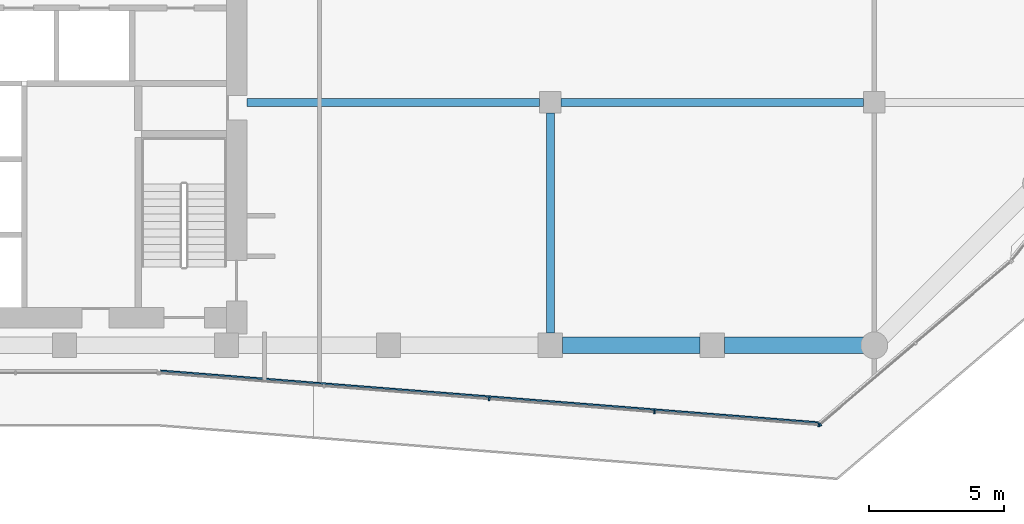
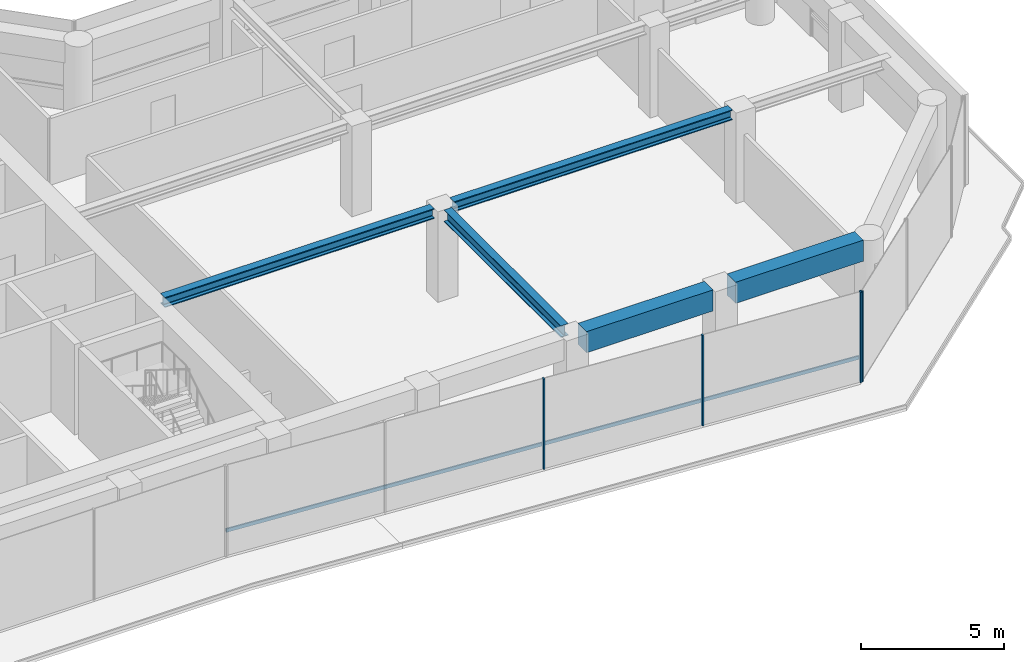
# One storey, part 6 of 24: 5 beams, 5 members, 2 elements without a shape of their own.
"""IFC4 building model written with IfcOpenShell, lengths in metres."""

from ifc_helpers import new_model, si_unit, direction, frame, origin, origin_2d, place, context, subcontext, project, spatial, rectangle, i_section, extrude, material, layer, layer_set, material_profile, profile_set, type_object, element, aggregate, save


model = new_model("IFC4")

# Units and contexts
model_context = context("Model", 3, precision=1e-05, world=origin(), true_north=direction((0.0, 1.0)))
body_context = subcontext(model_context, "Body", "Model", "MODEL_VIEW")
ifc_project = project(units=[si_unit("LENGTHUNIT", "METRE"), si_unit("AREAUNIT", "SQUARE_METRE"), si_unit("VOLUMEUNIT", "CUBIC_METRE"), si_unit("PLANEANGLEUNIT", "RADIAN"), si_unit("MASSUNIT", "GRAM", prefix="KILO")], contexts=[model_context])

# Site, building, storey
site_placement = place(None, origin())
site = spatial("IfcSite", under=ifc_project, at=site_placement, CompositionType="ELEMENT")
building_placement = place(site_placement, origin())
building = spatial("IfcBuilding", under=site, at=building_placement, Name="Welwitschia Terrace Campus", CompositionType="ELEMENT")
storey_placement = place(building_placement, frame((0.0, 0.0, 129.800048828125)))
storey = spatial("IfcBuildingStorey", under=building, at=storey_placement, Name="L29", CompositionType="ELEMENT", Elevation=129.800048828125)

# Beams
ifc_material_1 = material(Name="Steel S355", Category="steel")
ifc_material_profile_1 = material_profile(ifc_material_1, i_section(OverallWidth=0.306884765625, OverallDepth=0.431884765625, WebThickness=0.02099609375, FlangeThickness=0.0400390625, FilletRadius=0.027099609375, at=origin_2d()))
ifc_profile_set_1 = profile_set([ifc_material_profile_1], Name="Steel S355")
beam_type_1 = type_object("IfcBeamType", Name="Interior girder HE 400 M", PredefinedType="BEAM", material=ifc_profile_set_1)
beam_1_placement = place(storey_placement, frame((24.7509765625, 13.0, 3.634033203125), z_axis=(1.0, 0.0, 0.0), x_axis=(0.0, 1.0, 0.0)))
element("IfcBeam", 1, at=beam_1_placement, inside=storey, type_object=beam_type_1, Name="Girder GB3", PredefinedType="BEAM", context=body_context, shape_type="SweptSolid", body=[
    extrude(i_section(OverallWidth=0.306884765625, OverallDepth=0.431884765625, WebThickness=0.02099609375, FlangeThickness=0.0400390625, FilletRadius=0.027099609375, at=origin_2d()), origin(), (0.0, 0.0, 1.0), 10.8486328125),
])
beam_2_placement = place(storey_placement, frame((36.400390625, 13.0, 3.634033203125), z_axis=(1.0, 0.0, 0.0), x_axis=(0.0, 1.0, 0.0)))
element("IfcBeam", 2, at=beam_2_placement, inside=storey, type_object=beam_type_1, Name="Girder GB3", PredefinedType="BEAM", context=body_context, shape_type="SweptSolid", body=[
    extrude(i_section(OverallWidth=0.306884765625, OverallDepth=0.431884765625, WebThickness=0.02099609375, FlangeThickness=0.0400390625, FilletRadius=0.027099609375, at=origin_2d()), origin(), (0.0, 0.0, 1.0), 11.19921875),
])

# Curtain wall, members
ifc_material_2 = material(Name="Bronze anodised aluminium", Category="aluminium")
ifc_layer = layer(ifc_material_2, 0.1201171875)
ifc_layer_set = layer_set([ifc_layer], Name="Bronze anodised aluminium")
curtain_wall_type = type_object("IfcCurtainWallType", Name="Curtain wall CW2 tower 6000", PredefinedType="NOTDEFINED", material=ifc_layer_set)
curtain_wall_1_placement = place(storey_placement, origin())
curtain_wall_1 = element("IfcCurtainWall", 3, at=curtain_wall_1_placement, inside=storey, type_object=curtain_wall_type, Name="CW L29.3.0", PredefinedType="NOTDEFINED")
ifc_material_3 = material(Name="Bronze anodised aluminium", Category="aluminium")
ifc_material_profile_2 = material_profile(ifc_material_3, rectangle(XDim=0.1201171875, YDim=0.06005859375, at=origin_2d()))
ifc_profile_set_2 = profile_set([ifc_material_profile_2], Name="Bronze anodised aluminium")
member_type_1 = type_object("IfcMemberType", Name="Mullion 60x120", PredefinedType="MULLION", material=ifc_profile_set_2)
member_1_placement = place(storey_placement, frame((33.734375, 2.006591796875, 0.0), z_axis=(0.0, 0.0, 1.0), x_axis=(0.078459095728, 0.996917333733, 0.0)))
member_1 = element("IfcMember", 4, at=member_1_placement, type_object=member_type_1, Name="Mullion L29.3.0.2", PredefinedType="MULLION", context=body_context, shape_type="SweptSolid", body=[
    extrude(rectangle(XDim=0.1201171875, YDim=0.06005859375, at=origin_2d()), origin(), (0.0, 0.0, 1.0), 3.849853515625),
])
member_2_placement = place(storey_placement, frame((39.855712890625, 1.524658203125, 0.0), z_axis=(0.0, 0.0, 1.0), x_axis=(0.078459095728, 0.996917333733, 0.0)))
member_2 = element("IfcMember", 5, at=member_2_placement, type_object=member_type_1, Name="Mullion L29.3.0.3", PredefinedType="MULLION", context=body_context, shape_type="SweptSolid", body=[
    extrude(rectangle(XDim=0.1201171875, YDim=0.06005859375, at=origin_2d()), origin(), (0.0, 0.0, 1.0), 3.849853515625),
])
member_3_placement = place(storey_placement, frame((45.947021484375, 1.04541015625, 0.0), z_axis=(0.0, 0.0, 1.0), x_axis=(0.078459095728, 0.996917333733, 0.0)))
member_3 = element("IfcMember", 6, at=member_3_placement, type_object=member_type_1, Name="Mullion L29.3.0.4", PredefinedType="MULLION", context=body_context, shape_type="SweptSolid", body=[
    extrude(rectangle(XDim=0.1201171875, YDim=0.06005859375, at=origin_2d()), origin(), (0.0, 0.0, 1.0), 3.849853515625),
])

# Curtain wall, member
curtain_wall_2_placement = place(storey_placement, origin())
curtain_wall_2 = element("IfcCurtainWall", 7, at=curtain_wall_2_placement, inside=storey, type_object=curtain_wall_type, Name="CW L29.4.0", PredefinedType="NOTDEFINED")
member_4_placement = place(storey_placement, frame((45.999755859375, 1.0625, 0.0), z_axis=(0.0, 0.0, 1.0), x_axis=(-0.64944804833, 0.7604059656, 0.0)))
member_4 = element("IfcMember", 8, at=member_4_placement, type_object=member_type_1, Name="Mullion L29.4.0.0", PredefinedType="MULLION", context=body_context, shape_type="SweptSolid", body=[
    extrude(rectangle(XDim=0.1201171875, YDim=0.06005859375, at=origin_2d()), origin(), (0.0, 0.0, 1.0), 3.849853515625),
])
aggregate(curtain_wall_2, [member_4])

# Beams
ifc_material_4 = material(Name="Steel S355", Category="steel")
ifc_material_profile_3 = material_profile(ifc_material_4, i_section(OverallWidth=0.300048828125, OverallDepth=0.5, WebThickness=0.014404296875, FlangeThickness=0.028076171875, FilletRadius=0.027099609375, at=origin_2d()))
ifc_profile_set_3 = profile_set([ifc_material_profile_3], Name="Steel S355")
beam_type_2 = type_object("IfcBeamType", Name="Primary beam HE 500 B", PredefinedType="BEAM", material=ifc_profile_set_3)
beam_3_placement = place(storey_placement, frame((36.0, 4.450439453125, 3.599853515625), z_axis=(0.0, 1.0, 0.0), x_axis=(-1.0, 0.0, 0.0)))
element("IfcBeam", 9, at=beam_3_placement, inside=storey, type_object=beam_type_2, Name="Primary beam PB3", PredefinedType="BEAM", context=body_context, shape_type="SweptSolid", body=[
    extrude(i_section(OverallWidth=0.300048828125, OverallDepth=0.5, WebThickness=0.014404296875, FlangeThickness=0.028076171875, FilletRadius=0.027099609375, at=origin_2d()), origin(), (0.0, 0.0, 1.0), 8.149169921875),
])
ifc_material_5 = material(Name="Concrete C60/75", Category="concrete")
ifc_material_profile_4 = material_profile(ifc_material_5, rectangle(XDim=0.60009765625, YDim=0.89990234375, at=origin_2d()))
ifc_profile_set_4 = profile_set([ifc_material_profile_4], Name="Concrete C60/75")
beam_type_3 = type_object("IfcBeamType", Name="Ring spandrel 600x900", PredefinedType="SPANDREL", material=ifc_profile_set_4)
beam_4_placement = place(storey_placement, frame((36.450439453125, 4.0, 3.39990234375), z_axis=(1.0, 0.0, 0.0), x_axis=(0.0, 1.0, 0.0)))
element("IfcBeam", 10, at=beam_4_placement, inside=storey, type_object=beam_type_3, Name="Spandrel SP2", PredefinedType="SPANDREL", context=body_context, shape_type="SweptSolid", body=[
    extrude(rectangle(XDim=0.60009765625, YDim=0.89990234375, at=origin_2d()), origin(), (0.0, 0.0, 1.0), 5.09912109375),
])
beam_5_placement = place(storey_placement, frame((42.450439453125, 4.0, 3.39990234375), z_axis=(1.0, 0.0, 0.0), x_axis=(0.0, 1.0, 0.0)))
element("IfcBeam", 11, at=beam_5_placement, inside=storey, type_object=beam_type_3, Name="Spandrel SP2", PredefinedType="SPANDREL", context=body_context, shape_type="SweptSolid", body=[
    extrude(rectangle(XDim=0.60009765625, YDim=0.89990234375, at=origin_2d()), origin(), (0.0, 0.0, 1.0), 5.149169921875),
])

# Member
ifc_material_6 = material(Name="Bronze anodised aluminium", Category="aluminium")
ifc_material_profile_5 = material_profile(ifc_material_6, rectangle(XDim=0.06005859375, YDim=0.14990234375, at=origin_2d()))
ifc_profile_set_5 = profile_set([ifc_material_profile_5], Name="Bronze anodised aluminium")
member_type_2 = type_object("IfcMemberType", Name="Transom 60x150", PredefinedType="USERDEFINED", material=ifc_profile_set_5)
member_5_placement = place(storey_placement, frame((21.558837890625, 3.054931640625, 1.0), z_axis=(0.996917731444, -0.078454042172, 0.0), x_axis=(0.078454042172, 0.996917731444, 0.0)))
member_5 = element("IfcMember", 12, at=member_5_placement, type_object=member_type_2, Name="Transom L29.3.0", ObjectType="TRANSOM", PredefinedType="USERDEFINED", context=body_context, shape_type="SweptSolid", body=[
    extrude(rectangle(XDim=0.06005859375, YDim=0.14990234375, at=origin_2d()), origin(), (0.0, 0.0, 1.0), 24.44091796875),
])

aggregate(curtain_wall_1, [member_1, member_2, member_3, member_5])

save(model, "model.ifc")
